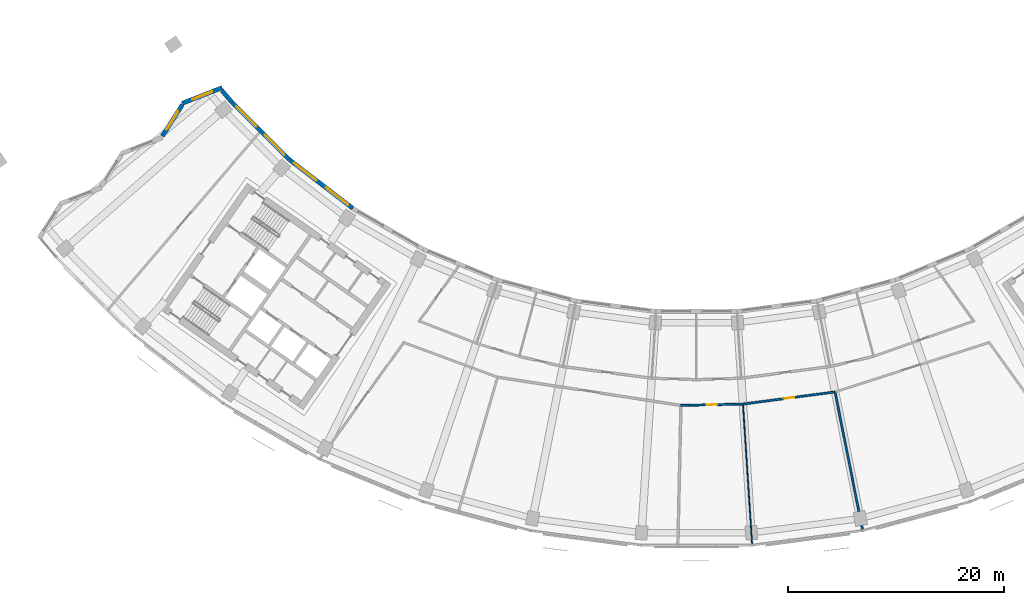
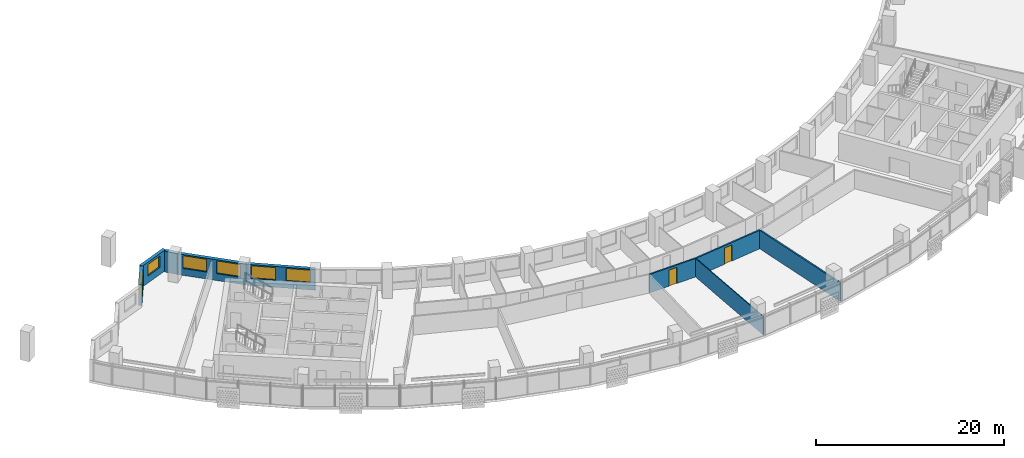
# One storey, part 5 of 26: 9 walls, 6 windows, 2 doors, 8 openings.
"""IFC4 building model written with IfcOpenShell, lengths in metres."""

from ifc_helpers import new_model, si_unit, direction, frame, frame_2d, origin, place, context, subcontext, project, spatial, rectangle, extrude, material, layer, layer_set, type_object, element, fill, save


model = new_model("IFC4")

# Units and contexts
model_context = context("Model", 3, precision=1e-05, world=origin(), true_north=direction((0.0, 1.0)))
body_context = subcontext(model_context, "Body", "Model", "MODEL_VIEW")
ifc_project = project(units=[si_unit("LENGTHUNIT", "METRE"), si_unit("AREAUNIT", "SQUARE_METRE"), si_unit("VOLUMEUNIT", "CUBIC_METRE"), si_unit("PLANEANGLEUNIT", "RADIAN"), si_unit("MASSUNIT", "GRAM", prefix="KILO")], contexts=[model_context])

# Site, building, storey
site_placement = place(None, origin())
site = spatial("IfcSite", under=ifc_project, at=site_placement, CompositionType="ELEMENT")
building_placement = place(site_placement, origin())
building = spatial("IfcBuilding", under=site, at=building_placement, Name="Qamariyya Broadcast Tower", CompositionType="ELEMENT")
storey_placement = place(building_placement, frame((0.0, 0.0, 168.300048828125)))
storey = spatial("IfcBuildingStorey", under=building, at=storey_placement, Name="L39", CompositionType="ELEMENT", Elevation=168.300048828125)

# Wall
ifc_material_1 = material(Name="Gypsum board partition")
ifc_layer_1 = layer(ifc_material_1, 0.10009765625)
ifc_layer_set_1 = layer_set([ifc_layer_1], Name="Partition 100")
wall_type_1 = type_object("IfcWallType", Name="Partition 100", PredefinedType="PARTITIONING", material=ifc_layer_set_1)
wall_1_placement = place(storey_placement, frame((5.15380859375, -78.63134765625, 0.0), z_axis=(0.0, 0.0, 1.0), x_axis=(-0.06541317775, 0.997858264573, 0.0)))
element("IfcWall", 1, at=wall_1_placement, inside=storey, type_object=wall_type_1, Name="Partition L39-023", PredefinedType="PARTITIONING", context=body_context, shape_type="SweptSolid", body=[
    extrude(rectangle(XDim=12.909912109375, YDim=0.10009765625, at=frame_2d((6.455078125, 0.0))), origin(), (0.0, 0.0, 1.0), 2.39990234375),
])

# Wall, opening, door
ifc_layer_2 = layer(ifc_material_1, 0.179931640625)
ifc_layer_set_2 = layer_set([ifc_layer_2], Name="Studio acoustic partition 180 EI 60")
wall_type_2 = type_object("IfcWallType", Name="Studio acoustic partition 180 EI 60", PredefinedType="PARTITIONING", material=ifc_layer_set_2)
wall_2_placement = place(storey_placement, frame((4.303466796875, -65.6591796875, 0.0), z_axis=(0.0, 0.0, 1.0), x_axis=(-0.999763025016, -0.021769102186, 0.0)))
wall_2 = element("IfcWall", 2, at=wall_2_placement, inside=storey, type_object=wall_type_2, Name="Partition L39-017", PredefinedType="PARTITIONING", context=body_context, shape_type="SweptSolid", body=[
    extrude(rectangle(XDim=5.7421875, YDim=0.179931640625, at=frame_2d((2.87109375, 0.0))), origin(), (0.0, 0.0, 1.0), 2.39990234375),
])
opening_1_placement = place(wall_2_placement, frame((2.37109375, 0.0, 0.0)))
opening_1 = element("IfcOpeningElement", 3, at=opening_1_placement, cuts=wall_2, Name="Opening L39-D03", PredefinedType="OPENING", context=body_context, shape_type="SweptSolid", body=[
    extrude(rectangle(XDim=1.0, YDim=2.10009765625, at=frame_2d((0.5, 1.050048828125))), frame((0.0, 0.099853515625, 0.0), z_axis=(0.0, -1.0, 0.0), x_axis=(1.0, 0.0, 0.0)), (0.0, 0.0, 1.0), 0.199951171875),
])
ifc_material_2 = material(Name="Timber fire door leaf", Category="wood")
door_type = type_object("IfcDoorType", Name="Fire door 1000 x 2100 FD60", OperationType="NOTDEFINED", PredefinedType="DOOR", material=ifc_material_2)
door_1_placement = place(opening_1_placement, origin())
door_1 = element("IfcDoor", 4, at=door_1_placement, inside=storey, type_object=door_type, Name="Door L39-D03", OperationType="SINGLE_SWING_RIGHT", OverallHeight=2.10009765625, OverallWidth=1.0, PredefinedType="DOOR", context=body_context, shape_type="SweptSolid", body=[
    extrude(rectangle(XDim=1.0, YDim=2.10009765625, at=frame_2d((0.5, 1.050048828125))), frame((0.0, 0.02490234375, 0.0), z_axis=(0.0, -1.0, 0.0), x_axis=(1.0, 0.0, 0.0)), (0.0, 0.0, 1.0), 0.050048828125),
])
fill(opening_1, door_1)

wall_3_placement = place(storey_placement, frame((12.8369140625, -64.53564453125, 0.0), z_axis=(0.0, 0.0, 1.0), x_axis=(-0.991443575654, -0.130535957862, 0.0)))
wall_3 = element("IfcWall", 5, at=wall_3_placement, inside=storey, type_object=wall_type_2, Name="Partition L39-022", PredefinedType="PARTITIONING", context=body_context, shape_type="SweptSolid", body=[
    extrude(rectangle(XDim=8.607177734375, YDim=0.179931640625, at=frame_2d((4.3037109375, 0.0))), origin(), (0.0, 0.0, 1.0), 2.39990234375),
])
opening_2_placement = place(wall_3_placement, frame((3.803466796875, 0.0, 0.0)))
opening_2 = element("IfcOpeningElement", 6, at=opening_2_placement, cuts=wall_3, Name="Opening L39-D04", PredefinedType="OPENING", context=body_context, shape_type="SweptSolid", body=[
    extrude(rectangle(XDim=1.0, YDim=2.10009765625, at=frame_2d((0.5, 1.050048828125))), frame((0.0, 0.099853515625, 0.0), z_axis=(0.0, -1.0, 0.0), x_axis=(1.0, 0.0, 0.0)), (0.0, 0.0, 1.0), 0.199951171875),
])
door_2_placement = place(opening_2_placement, origin())
door_2 = element("IfcDoor", 7, at=door_2_placement, inside=storey, type_object=door_type, Name="Door L39-D04", OperationType="SINGLE_SWING_RIGHT", OverallHeight=2.10009765625, OverallWidth=1.0, PredefinedType="DOOR", context=body_context, shape_type="SweptSolid", body=[
    extrude(rectangle(XDim=1.0, YDim=2.10009765625, at=frame_2d((0.5, 1.050048828125))), frame((0.0, 0.02490234375, 0.0), z_axis=(0.0, -1.0, 0.0), x_axis=(1.0, 0.0, 0.0)), (0.0, 0.0, 1.0), 0.050048828125),
])
fill(opening_2, door_2)

# Wall
wall_4_placement = place(storey_placement, frame((15.373046875, -77.285888671875, 0.0), z_axis=(0.0, 0.0, 1.0), x_axis=(-0.195086827289, 0.980785975541, 0.0)))
element("IfcWall", 8, at=wall_4_placement, inside=storey, type_object=wall_type_2, Name="Partition L39-028", PredefinedType="PARTITIONING", context=body_context, shape_type="SweptSolid", body=[
    extrude(rectangle(XDim=12.909912109375, YDim=0.179931640625, at=frame_2d((6.455078125, 0.0))), origin(), (0.0, 0.0, 1.0), 2.39990234375),
])

# Wall, opening, window
ifc_material_3 = material(Name="Terracotta", Category="masonry")
ifc_layer_3 = layer(ifc_material_3, 0.39990234375)
ifc_layer_set_3 = layer_set([ifc_layer_3], Name="Terracotta clad wall 400")
wall_type_3 = type_object("IfcWallType", Name="Terracotta clad wall 400", PredefinedType="SOLIDWALL", material=ifc_layer_set_3)
wall_5_placement = place(storey_placement, frame((-43.91748046875, -36.36279296875, 0.0), z_axis=(0.0, 0.0, 1.0), x_axis=(-0.932064991309, -0.362291114956, 0.0)))
wall_5 = element("IfcWall", 9, at=wall_5_placement, inside=storey, type_object=wall_type_3, Name="e-wl-L39-capW0", PredefinedType="SOLIDWALL", context=body_context, shape_type="SweptSolid", body=[
    extrude(rectangle(XDim=3.948974609375, YDim=0.39990234375, at=frame_2d((1.974609375, 0.0))), origin(), (0.0, 0.0, 1.0), 2.699951171875),
])
opening_3_placement = place(wall_5_placement, frame((0.974365234375, 0.0, 0.89990234375)))
opening_3 = element("IfcOpeningElement", 10, at=opening_3_placement, cuts=wall_5, Name="Opening W4", PredefinedType="OPENING", context=body_context, shape_type="SweptSolid", body=[
    extrude(rectangle(XDim=2.0, YDim=1.5, at=frame_2d((1.0, 0.75))), frame((0.0, 0.2099609375, 0.0), z_axis=(0.0, -1.0, 0.0), x_axis=(1.0, 0.0, 0.0)), (0.0, 0.0, 1.0), 0.419921875),
])
ifc_material_4 = material(Name="Clear low-e double glazed unit in aluminium frame", Category="aluminium")
window_type_1 = type_object("IfcWindowType", Name="Horn bay window 2000 x 1500", PartitioningType="SINGLE_PANEL", PredefinedType="WINDOW", material=ifc_material_4)
window_1_placement = place(opening_3_placement, origin())
window_1 = element("IfcWindow", 11, at=window_1_placement, inside=storey, type_object=window_type_1, Name="e-w-L39-capW0", OverallHeight=1.5, OverallWidth=2.0, PartitioningType="SINGLE_PANEL", PredefinedType="WINDOW", context=body_context, shape_type="SweptSolid", body=[
    extrude(rectangle(XDim=2.0, YDim=1.5, at=frame_2d((1.0, 0.75))), frame((0.0, 0.030029296875, 0.0), z_axis=(0.0, -1.0, 0.0), x_axis=(1.0, 0.0, 0.0)), (0.0, 0.0, 1.0), 0.06005859375),
])
fill(opening_3, window_1)

wall_6_placement = place(storey_placement, frame((-47.601806640625, -37.930908203125, 0.0), z_axis=(0.0, 0.0, 1.0), x_axis=(-0.537499932337, -0.843263791905, 0.0)))
wall_6 = element("IfcWall", 12, at=wall_6_placement, inside=storey, type_object=wall_type_3, Name="e-wl-L39-capW1", PredefinedType="SOLIDWALL", context=body_context, shape_type="SweptSolid", body=[
    extrude(rectangle(XDim=3.439697265625, YDim=0.39990234375, at=frame_2d((1.7197265625, 0.0))), origin(), (0.0, 0.0, 1.0), 2.699951171875),
])
opening_4_placement = place(wall_6_placement, frame((0.719970703125, 0.0, 0.89990234375)))
opening_4 = element("IfcOpeningElement", 13, at=opening_4_placement, cuts=wall_6, Name="Opening W4", PredefinedType="OPENING", context=body_context, shape_type="SweptSolid", body=[
    extrude(rectangle(XDim=2.0, YDim=1.5, at=frame_2d((1.0, 0.75))), frame((0.0, 0.2099609375, 0.0), z_axis=(0.0, -1.0, 0.0), x_axis=(1.0, 0.0, 0.0)), (0.0, 0.0, 1.0), 0.419921875),
])
window_2_placement = place(opening_4_placement, origin())
window_2 = element("IfcWindow", 14, at=window_2_placement, inside=storey, type_object=window_type_1, Name="e-w-L39-capW1", OverallHeight=1.5, OverallWidth=2.0, PartitioningType="SINGLE_PANEL", PredefinedType="WINDOW", context=body_context, shape_type="SweptSolid", body=[
    extrude(rectangle(XDim=2.0, YDim=1.5, at=frame_2d((1.0, 0.75))), frame((0.0, 0.030029296875, 0.0), z_axis=(0.0, -1.0, 0.0), x_axis=(1.0, 0.0, 0.0)), (0.0, 0.0, 1.0), 0.06005859375),
])
fill(opening_4, window_2)

# Wall
wall_7_placement = place(storey_placement, frame((-43.022216796875, -37.694580078125, 0.0), z_axis=(0.0, 0.0, 1.0), x_axis=(-0.64729554502, 0.762239120879, 0.0)))
element("IfcWall", 15, at=wall_7_placement, inside=storey, type_object=wall_type_3, Name="e-wl-L39-in00", PredefinedType="SOLIDWALL", context=body_context, shape_type="SweptSolid", body=[
    extrude(rectangle(XDim=1.406005859375, YDim=0.39990234375, at=frame_2d((0.703125, 0.0))), origin(), (0.0, 0.0, 1.0), 2.699951171875),
])

# Wall, openings, windows
wall_8_placement = place(storey_placement, frame((-37.697265625, -43.023193359375, 0.0), z_axis=(0.0, 0.0, 1.0), x_axis=(-0.707106781187, 0.707106781187, 0.0)))
wall_8 = element("IfcWall", 16, at=wall_8_placement, inside=storey, type_object=wall_type_3, Name="e-wl-L39-in10", PredefinedType="SOLIDWALL", context=body_context, shape_type="SweptSolid", body=[
    extrude(rectangle(XDim=7.51708984375, YDim=0.39990234375, at=frame_2d((3.758544921875, 0.0))), origin(), (0.0, 0.0, 1.0), 2.699951171875),
])
opening_5_placement = place(wall_8_placement, frame((4.330078125, 0.0, 0.89990234375)))
opening_5 = element("IfcOpeningElement", 17, at=opening_5_placement, cuts=wall_8, Name="Opening W1", PredefinedType="OPENING", context=body_context, shape_type="SweptSolid", body=[
    extrude(rectangle(XDim=2.60009765625, YDim=1.64990234375, at=frame_2d((1.300048828125, 0.824951171875))), frame((0.0, 0.2099609375, 0.0), z_axis=(0.0, -1.0, 0.0), x_axis=(1.0, 0.0, 0.0)), (0.0, 0.0, 1.0), 0.419921875),
])
opening_6_placement = place(wall_8_placement, frame((0.60205078125, 0.0, 0.89990234375)))
opening_6 = element("IfcOpeningElement", 18, at=opening_6_placement, cuts=wall_8, Name="Opening W1", PredefinedType="OPENING", context=body_context, shape_type="SweptSolid", body=[
    extrude(rectangle(XDim=2.60009765625, YDim=1.64990234375, at=frame_2d((1.300048828125, 0.824951171875))), frame((0.0, 0.2099609375, 0.0), z_axis=(0.0, -1.0, 0.0), x_axis=(1.0, 0.0, 0.0)), (0.0, 0.0, 1.0), 0.419921875),
])
window_type_2 = type_object("IfcWindowType", Name="Ribbon window 2600 x 1650", PartitioningType="SINGLE_PANEL", PredefinedType="WINDOW", material=ifc_material_4)
window_3_placement = place(opening_5_placement, origin())
window_3 = element("IfcWindow", 19, at=window_3_placement, inside=storey, type_object=window_type_2, Name="e-w-L39-in01-0", OverallHeight=1.64990234375, OverallWidth=2.60009765625, PartitioningType="SINGLE_PANEL", PredefinedType="WINDOW", context=body_context, shape_type="SweptSolid", body=[
    extrude(rectangle(XDim=2.60009765625, YDim=1.64990234375, at=frame_2d((1.300048828125, 0.824951171875))), frame((0.0, 0.030029296875, 0.0), z_axis=(0.0, -1.0, 0.0), x_axis=(1.0, 0.0, 0.0)), (0.0, 0.0, 1.0), 0.06005859375),
])
fill(opening_5, window_3)
window_4_placement = place(opening_6_placement, origin())
window_4 = element("IfcWindow", 20, at=window_4_placement, inside=storey, type_object=window_type_2, Name="e-w-L39-in01-1", OverallHeight=1.64990234375, OverallWidth=2.60009765625, PartitioningType="SINGLE_PANEL", PredefinedType="WINDOW", context=body_context, shape_type="SweptSolid", body=[
    extrude(rectangle(XDim=2.60009765625, YDim=1.64990234375, at=frame_2d((1.300048828125, 0.824951171875))), frame((0.0, 0.030029296875, 0.0), z_axis=(0.0, -1.0, 0.0), x_axis=(1.0, 0.0, 0.0)), (0.0, 0.0, 1.0), 0.06005859375),
])
fill(opening_6, window_4)

wall_9_placement = place(storey_placement, frame((-31.819091796875, -47.529541015625, 0.0), z_axis=(0.0, 0.0, 1.0), x_axis=(-0.79334647843, 0.608770371457, 0.0)))
wall_9 = element("IfcWall", 21, at=wall_9_placement, inside=storey, type_object=wall_type_3, Name="e-wl-L39-in20", PredefinedType="SOLIDWALL", context=body_context, shape_type="SweptSolid", body=[
    extrude(rectangle(XDim=7.380615234375, YDim=0.39990234375, at=frame_2d((3.6904296875, 0.0))), origin(), (0.0, 0.0, 1.0), 2.699951171875),
])
opening_7_placement = place(wall_9_placement, frame((4.25439453125, 0.0, 0.89990234375)))
opening_7 = element("IfcOpeningElement", 22, at=opening_7_placement, cuts=wall_9, Name="Opening W1", PredefinedType="OPENING", context=body_context, shape_type="SweptSolid", body=[
    extrude(rectangle(XDim=2.60009765625, YDim=1.64990234375, at=frame_2d((1.300048828125, 0.824951171875))), frame((0.0, 0.2099609375, 0.0), z_axis=(0.0, -1.0, 0.0), x_axis=(1.0, 0.0, 0.0)), (0.0, 0.0, 1.0), 0.419921875),
])
opening_8_placement = place(wall_9_placement, frame((0.5263671875, 0.0, 0.89990234375)))
opening_8 = element("IfcOpeningElement", 23, at=opening_8_placement, cuts=wall_9, Name="Opening W1", PredefinedType="OPENING", context=body_context, shape_type="SweptSolid", body=[
    extrude(rectangle(XDim=2.60009765625, YDim=1.64990234375, at=frame_2d((1.300048828125, 0.824951171875))), frame((0.0, 0.2099609375, 0.0), z_axis=(0.0, -1.0, 0.0), x_axis=(1.0, 0.0, 0.0)), (0.0, 0.0, 1.0), 0.419921875),
])
window_5_placement = place(opening_7_placement, origin())
window_5 = element("IfcWindow", 24, at=window_5_placement, inside=storey, type_object=window_type_2, Name="e-w-L39-in02-0", OverallHeight=1.64990234375, OverallWidth=2.60009765625, PartitioningType="SINGLE_PANEL", PredefinedType="WINDOW", context=body_context, shape_type="SweptSolid", body=[
    extrude(rectangle(XDim=2.60009765625, YDim=1.64990234375, at=frame_2d((1.300048828125, 0.824951171875))), frame((0.0, 0.030029296875, 0.0), z_axis=(0.0, -1.0, 0.0), x_axis=(1.0, 0.0, 0.0)), (0.0, 0.0, 1.0), 0.06005859375),
])
fill(opening_7, window_5)
window_6_placement = place(opening_8_placement, origin())
window_6 = element("IfcWindow", 25, at=window_6_placement, inside=storey, type_object=window_type_2, Name="e-w-L39-in02-1", OverallHeight=1.64990234375, OverallWidth=2.60009765625, PartitioningType="SINGLE_PANEL", PredefinedType="WINDOW", context=body_context, shape_type="SweptSolid", body=[
    extrude(rectangle(XDim=2.60009765625, YDim=1.64990234375, at=frame_2d((1.300048828125, 0.824951171875))), frame((0.0, 0.030029296875, 0.0), z_axis=(0.0, -1.0, 0.0), x_axis=(1.0, 0.0, 0.0)), (0.0, 0.0, 1.0), 0.06005859375),
])
fill(opening_8, window_6)

save(model, "model.ifc")
